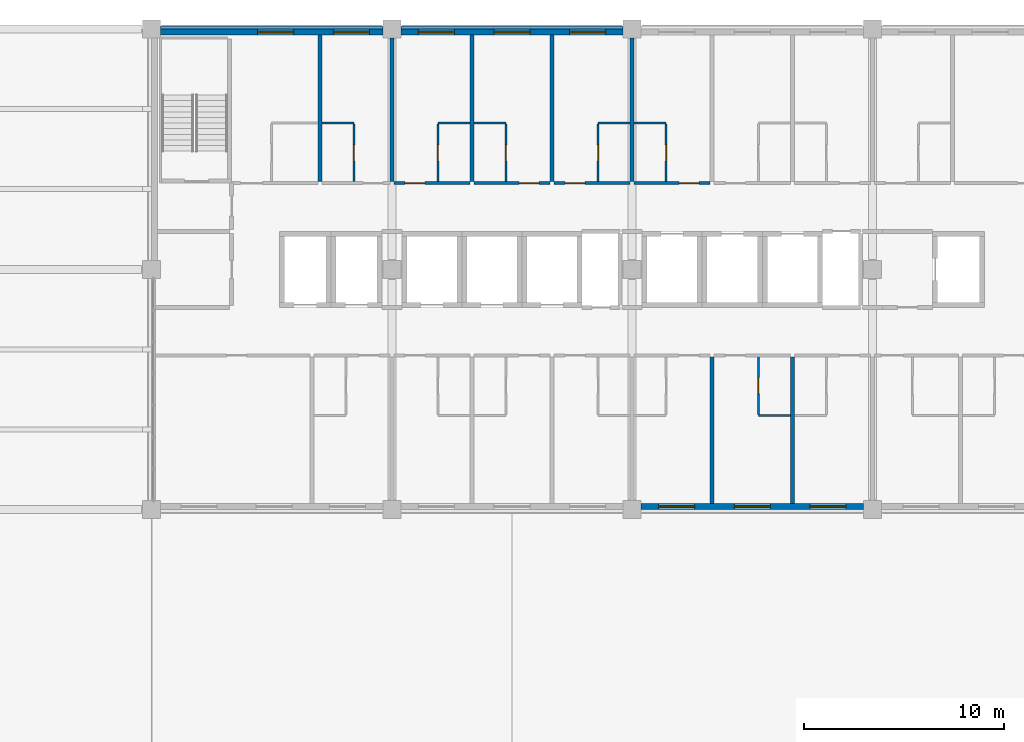
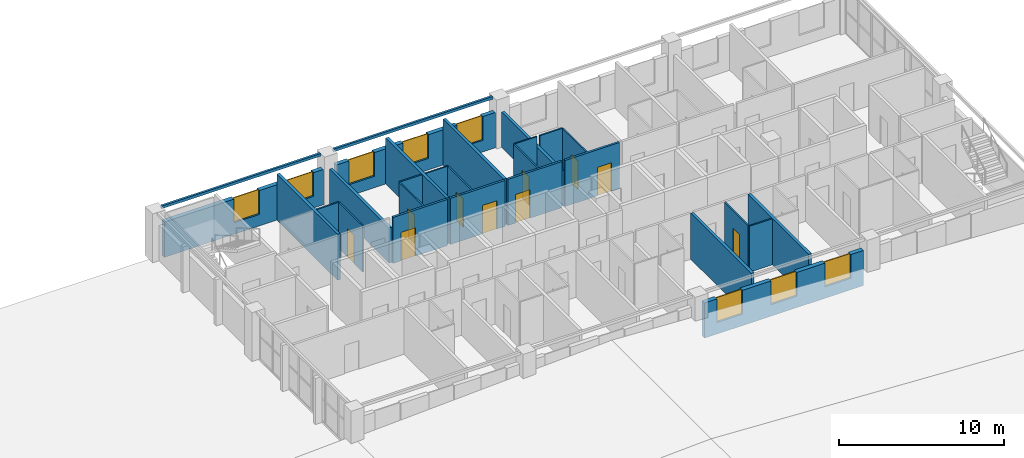
# One storey, part 89 of 94: 28 walls, 10 doors, 8 windows, 18 openings.
"""IFC4 building model written with IfcOpenShell, lengths in metres."""

from ifc_helpers import new_model, si_unit, direction, frame, frame_2d, origin, place, context, subcontext, project, spatial, rectangle, extrude, material, layer, layer_set, type_object, element, fill, save


model = new_model("IFC4")

# Units and contexts
model_context = context("Model", 3, precision=1e-05, world=origin(), true_north=direction((0.0, 1.0)))
body_context = subcontext(model_context, "Body", "Model", "MODEL_VIEW")
ifc_project = project(units=[si_unit("LENGTHUNIT", "METRE"), si_unit("AREAUNIT", "SQUARE_METRE"), si_unit("VOLUMEUNIT", "CUBIC_METRE"), si_unit("PLANEANGLEUNIT", "RADIAN"), si_unit("MASSUNIT", "GRAM", prefix="KILO")], contexts=[model_context])

# Site, building, storey
site_placement = place(None, origin())
site = spatial("IfcSite", under=ifc_project, at=site_placement, CompositionType="ELEMENT")
building_placement = place(site_placement, origin())
building = spatial("IfcBuilding", under=site, at=building_placement, Name="Lilac Gate Convention Centre", CompositionType="ELEMENT")
storey_placement = place(building_placement, frame((0.0, 0.0, 21.0)))
storey = spatial("IfcBuildingStorey", under=building, at=storey_placement, Name="L04", CompositionType="ELEMENT", Elevation=21.0)

# Wall, opening, door
ifc_material_1 = material(Name="Gypsum board on steel stud", Category="steel")
ifc_layer_1 = layer(ifc_material_1, 0.14990234375)
ifc_layer_set_1 = layer_set([ifc_layer_1], Name="Gypsum board on steel stud")
wall_type_1 = type_object("IfcWallType", Name="Corridor wall 150", PredefinedType="PARTITIONING", material=ifc_layer_set_1)
wall_1_placement = place(storey_placement, frame((54.10009765625, 238.300048828125, 0.0), z_axis=(0.0, 0.0, 1.0), x_axis=(1.0, 0.0, 0.0)))
wall_1 = element("IfcWall", 1, at=wall_1_placement, inside=storey, type_object=wall_type_1, Name="Corridor wall 150 front 0413", PredefinedType="PARTITIONING", context=body_context, shape_type="SweptSolid", body=[
    extrude(rectangle(XDim=3.7998046875, YDim=0.14990234375, at=frame_2d((1.89990234375, 0.0))), origin(), (0.0, 0.0, 1.0), 3.39990234375),
])
opening_1_placement = place(wall_1_placement, frame((0.550048828125, 0.0, 0.0)))
opening_1 = element("IfcOpeningElement", 2, at=opening_1_placement, cuts=wall_1, Name="Opening T04-031", PredefinedType="OPENING", context=body_context, shape_type="SweptSolid", body=[
    extrude(rectangle(XDim=1.0, YDim=2.10009765625, at=frame_2d((0.5, 1.050048828125))), frame((0.0, 0.0849609375, 0.0), z_axis=(0.0, -1.0, 0.0), x_axis=(1.0, 0.0, 0.0)), (0.0, 0.0, 1.0), 0.169921875),
])
ifc_material_2 = material(Name="Timber", Category="wood")
door_type_1 = type_object("IfcDoorType", Name="Guest room entrance door 1000", OperationType="SINGLE_SWING_LEFT", PredefinedType="DOOR", material=ifc_material_2)
door_1_placement = place(opening_1_placement, origin())
door_1 = element("IfcDoor", 3, at=door_1_placement, inside=storey, type_object=door_type_1, Name="Guest room door 0413", OperationType="SINGLE_SWING_LEFT", OverallHeight=2.10009765625, OverallWidth=1.0, PredefinedType="DOOR", context=body_context, shape_type="SweptSolid", body=[
    extrude(rectangle(XDim=1.0, YDim=2.10009765625, at=frame_2d((0.5, 1.050048828125))), frame((0.0, 0.02490234375, 0.0), z_axis=(0.0, -1.0, 0.0), x_axis=(1.0, 0.0, 0.0)), (0.0, 0.0, 1.0), 0.050048828125),
])
fill(opening_1, door_1)

wall_2_placement = place(storey_placement, frame((58.10009765625, 238.300048828125, 0.0), z_axis=(0.0, 0.0, 1.0), x_axis=(1.0, 0.0, 0.0)))
wall_2 = element("IfcWall", 4, at=wall_2_placement, inside=storey, type_object=wall_type_1, Name="Corridor wall 150 front 0414", PredefinedType="PARTITIONING", context=body_context, shape_type="SweptSolid", body=[
    extrude(rectangle(XDim=3.7998046875, YDim=0.14990234375, at=frame_2d((1.89990234375, 0.0))), origin(), (0.0, 0.0, 1.0), 3.39990234375),
])
opening_2_placement = place(wall_2_placement, frame((2.25, 0.0, 0.0)))
opening_2 = element("IfcOpeningElement", 5, at=opening_2_placement, cuts=wall_2, Name="Opening T04-033", PredefinedType="OPENING", context=body_context, shape_type="SweptSolid", body=[
    extrude(rectangle(XDim=1.0, YDim=2.10009765625, at=frame_2d((0.5, 1.050048828125))), frame((0.0, 0.0849609375, 0.0), z_axis=(0.0, -1.0, 0.0), x_axis=(1.0, 0.0, 0.0)), (0.0, 0.0, 1.0), 0.169921875),
])
door_2_placement = place(opening_2_placement, origin())
door_2 = element("IfcDoor", 6, at=door_2_placement, inside=storey, type_object=door_type_1, Name="Guest room door 0414", OperationType="SINGLE_SWING_RIGHT", OverallHeight=2.10009765625, OverallWidth=1.0, PredefinedType="DOOR", context=body_context, shape_type="SweptSolid", body=[
    extrude(rectangle(XDim=1.0, YDim=2.10009765625, at=frame_2d((0.5, 1.050048828125))), frame((0.0, 0.02490234375, 0.0), z_axis=(0.0, -1.0, 0.0), x_axis=(1.0, 0.0, 0.0)), (0.0, 0.0, 1.0), 0.050048828125),
])
fill(opening_2, door_2)

wall_3_placement = place(storey_placement, frame((62.10009765625, 238.300048828125, 0.0), z_axis=(0.0, 0.0, 1.0), x_axis=(1.0, 0.0, 0.0)))
wall_3 = element("IfcWall", 7, at=wall_3_placement, inside=storey, type_object=wall_type_1, Name="Corridor wall 150 front 0415", PredefinedType="PARTITIONING", context=body_context, shape_type="SweptSolid", body=[
    extrude(rectangle(XDim=3.7998046875, YDim=0.14990234375, at=frame_2d((1.89990234375, 0.0))), origin(), (0.0, 0.0, 1.0), 3.39990234375),
])
opening_3_placement = place(wall_3_placement, frame((0.550048828125, 0.0, 0.0)))
opening_3 = element("IfcOpeningElement", 8, at=opening_3_placement, cuts=wall_3, Name="Opening T04-035", PredefinedType="OPENING", context=body_context, shape_type="SweptSolid", body=[
    extrude(rectangle(XDim=1.0, YDim=2.10009765625, at=frame_2d((0.5, 1.050048828125))), frame((0.0, 0.0849609375, 0.0), z_axis=(0.0, -1.0, 0.0), x_axis=(1.0, 0.0, 0.0)), (0.0, 0.0, 1.0), 0.169921875),
])
door_3_placement = place(opening_3_placement, origin())
door_3 = element("IfcDoor", 9, at=door_3_placement, inside=storey, type_object=door_type_1, Name="Guest room door 0415", OperationType="SINGLE_SWING_LEFT", OverallHeight=2.10009765625, OverallWidth=1.0, PredefinedType="DOOR", context=body_context, shape_type="SweptSolid", body=[
    extrude(rectangle(XDim=1.0, YDim=2.10009765625, at=frame_2d((0.5, 1.050048828125))), frame((0.0, 0.02490234375, 0.0), z_axis=(0.0, -1.0, 0.0), x_axis=(1.0, 0.0, 0.0)), (0.0, 0.0, 1.0), 0.050048828125),
])
fill(opening_3, door_3)

wall_4_placement = place(storey_placement, frame((66.10009765625, 238.300048828125, 0.0), z_axis=(0.0, 0.0, 1.0), x_axis=(1.0, 0.0, 0.0)))
wall_4 = element("IfcWall", 10, at=wall_4_placement, inside=storey, type_object=wall_type_1, Name="Corridor wall 150 front 0416", PredefinedType="PARTITIONING", context=body_context, shape_type="SweptSolid", body=[
    extrude(rectangle(XDim=3.7998046875, YDim=0.14990234375, at=frame_2d((1.89990234375, 0.0))), origin(), (0.0, 0.0, 1.0), 3.39990234375),
])
opening_4_placement = place(wall_4_placement, frame((2.25, 0.0, 0.0)))
opening_4 = element("IfcOpeningElement", 11, at=opening_4_placement, cuts=wall_4, Name="Opening T04-037", PredefinedType="OPENING", context=body_context, shape_type="SweptSolid", body=[
    extrude(rectangle(XDim=1.0, YDim=2.10009765625, at=frame_2d((0.5, 1.050048828125))), frame((0.0, 0.0849609375, 0.0), z_axis=(0.0, -1.0, 0.0), x_axis=(1.0, 0.0, 0.0)), (0.0, 0.0, 1.0), 0.169921875),
])
door_4_placement = place(opening_4_placement, origin())
door_4 = element("IfcDoor", 12, at=door_4_placement, inside=storey, type_object=door_type_1, Name="Guest room door 0416", OperationType="SINGLE_SWING_LEFT", OverallHeight=2.10009765625, OverallWidth=1.0, PredefinedType="DOOR", context=body_context, shape_type="SweptSolid", body=[
    extrude(rectangle(XDim=1.0, YDim=2.10009765625, at=frame_2d((0.5, 1.050048828125))), frame((0.0, 0.02490234375, 0.0), z_axis=(0.0, -1.0, 0.0), x_axis=(1.0, 0.0, 0.0)), (0.0, 0.0, 1.0), 0.050048828125),
])
fill(opening_4, door_4)

# Wall
ifc_layer_2 = layer(ifc_material_1, 0.10009765625)
ifc_layer_set_2 = layer_set([ifc_layer_2], Name="Gypsum board on steel stud")
wall_type_2 = type_object("IfcWallType", Name="En-suite wall 100", PredefinedType="PARTITIONING", material=ifc_layer_set_2)
wall_5_placement = place(storey_placement, frame((72.300048828125, 226.699951171875, 0.0), z_axis=(0.0, 0.0, 1.0), x_axis=(1.0, 0.0, 0.0)))
element("IfcWall", 13, at=wall_5_placement, inside=storey, type_object=wall_type_2, Name="En-suite wall 100 bath 0407", PredefinedType="PARTITIONING", context=body_context, shape_type="SweptSolid", body=[
    extrude(rectangle(XDim=1.599853515625, YDim=0.10009765625, at=frame_2d((0.7998046875, 0.0))), origin(), (0.0, 0.0, 1.0), 3.39990234375),
])

# Wall, opening, door
wall_6_placement = place(storey_placement, frame((72.300048828125, 226.75, 0.0), z_axis=(0.0, 0.0, 1.0), x_axis=(0.0, 1.0, 0.0)))
wall_6 = element("IfcWall", 14, at=wall_6_placement, inside=storey, type_object=wall_type_2, Name="En-suite wall 100 bath side 0407", PredefinedType="PARTITIONING", context=body_context, shape_type="SweptSolid", body=[
    extrude(rectangle(XDim=2.875, YDim=0.10009765625, at=frame_2d((1.4375, 0.0))), origin(), (0.0, 0.0, 1.0), 3.39990234375),
])
opening_5_placement = place(wall_6_placement, frame((1.03759765625, 0.0, 0.0)))
opening_5 = element("IfcOpeningElement", 15, at=opening_5_placement, cuts=wall_6, Name="Opening T04-020", PredefinedType="OPENING", context=body_context, shape_type="SweptSolid", body=[
    extrude(rectangle(XDim=0.800048828125, YDim=2.10009765625, at=frame_2d((0.39990234375, 1.050048828125))), frame((0.0, 0.06005859375, 0.0), z_axis=(0.0, -1.0, 0.0), x_axis=(1.0, 0.0, 0.0)), (0.0, 0.0, 1.0), 0.1201171875),
])
door_type_2 = type_object("IfcDoorType", Name="En-suite door 800", OperationType="SINGLE_SWING_LEFT", PredefinedType="DOOR", material=ifc_material_2)
door_5_placement = place(opening_5_placement, origin())
door_5 = element("IfcDoor", 16, at=door_5_placement, inside=storey, type_object=door_type_2, Name="En-suite door 0407", OperationType="SINGLE_SWING_RIGHT", OverallHeight=2.10009765625, OverallWidth=0.800048828125, PredefinedType="DOOR", context=body_context, shape_type="SweptSolid", body=[
    extrude(rectangle(XDim=0.800048828125, YDim=2.10009765625, at=frame_2d((0.39990234375, 1.050048828125))), frame((0.0, 0.02490234375, 0.0), z_axis=(0.0, -1.0, 0.0), x_axis=(1.0, 0.0, 0.0)), (0.0, 0.0, 1.0), 0.050048828125),
])
fill(opening_5, door_5)

# Wall
wall_7_placement = place(storey_placement, frame((50.5, 241.300048828125, 0.0), z_axis=(0.0, 0.0, 1.0), x_axis=(1.0, 0.0, 0.0)))
element("IfcWall", 17, at=wall_7_placement, inside=storey, type_object=wall_type_2, Name="En-suite wall 100 bath 0412", PredefinedType="PARTITIONING", context=body_context, shape_type="SweptSolid", body=[
    extrude(rectangle(XDim=1.60009765625, YDim=0.10009765625, at=frame_2d((0.800048828125, 0.0))), origin(), (0.0, 0.0, 1.0), 3.39990234375),
])

# Wall, opening, door
wall_8_placement = place(storey_placement, frame((52.10009765625, 241.25, 0.0), z_axis=(0.0, 0.0, 1.0), x_axis=(0.0, -1.0, 0.0)))
wall_8 = element("IfcWall", 18, at=wall_8_placement, inside=storey, type_object=wall_type_2, Name="En-suite wall 100 bath side 0412", PredefinedType="PARTITIONING", context=body_context, shape_type="SweptSolid", body=[
    extrude(rectangle(XDim=2.875, YDim=0.10009765625, at=frame_2d((1.4375, 0.0))), origin(), (0.0, 0.0, 1.0), 3.39990234375),
])
opening_6_placement = place(wall_8_placement, frame((1.03759765625, 0.0, 0.0)))
opening_6 = element("IfcOpeningElement", 19, at=opening_6_placement, cuts=wall_8, Name="Opening T04-030", PredefinedType="OPENING", context=body_context, shape_type="SweptSolid", body=[
    extrude(rectangle(XDim=0.800048828125, YDim=2.10009765625, at=frame_2d((0.39990234375, 1.050048828125))), frame((0.0, 0.06005859375, 0.0), z_axis=(0.0, -1.0, 0.0), x_axis=(1.0, 0.0, 0.0)), (0.0, 0.0, 1.0), 0.1201171875),
])
door_6_placement = place(opening_6_placement, origin())
door_6 = element("IfcDoor", 20, at=door_6_placement, inside=storey, type_object=door_type_2, Name="En-suite door 0412", OperationType="SINGLE_SWING_RIGHT", OverallHeight=2.10009765625, OverallWidth=0.800048828125, PredefinedType="DOOR", context=body_context, shape_type="SweptSolid", body=[
    extrude(rectangle(XDim=0.800048828125, YDim=2.10009765625, at=frame_2d((0.39990234375, 1.050048828125))), frame((0.0, 0.02490234375, 0.0), z_axis=(0.0, -1.0, 0.0), x_axis=(1.0, 0.0, 0.0)), (0.0, 0.0, 1.0), 0.050048828125),
])
fill(opening_6, door_6)

# Wall
wall_9_placement = place(storey_placement, frame((56.300048828125, 241.300048828125, 0.0), z_axis=(0.0, 0.0, 1.0), x_axis=(1.0, 0.0, 0.0)))
element("IfcWall", 21, at=wall_9_placement, inside=storey, type_object=wall_type_2, Name="En-suite wall 100 bath 0413", PredefinedType="PARTITIONING", context=body_context, shape_type="SweptSolid", body=[
    extrude(rectangle(XDim=1.599853515625, YDim=0.10009765625, at=frame_2d((0.7998046875, 0.0))), origin(), (0.0, 0.0, 1.0), 3.39990234375),
])

# Wall, opening, door
wall_10_placement = place(storey_placement, frame((56.300048828125, 238.375, 0.0), z_axis=(0.0, 0.0, 1.0), x_axis=(0.0, 1.0, 0.0)))
wall_10 = element("IfcWall", 22, at=wall_10_placement, inside=storey, type_object=wall_type_2, Name="En-suite wall 100 bath side 0413", PredefinedType="PARTITIONING", context=body_context, shape_type="SweptSolid", body=[
    extrude(rectangle(XDim=2.875, YDim=0.10009765625, at=frame_2d((1.4375, 0.0))), origin(), (0.0, 0.0, 1.0), 3.39990234375),
])
opening_7_placement = place(wall_10_placement, frame((1.03759765625, 0.0, 0.0)))
opening_7 = element("IfcOpeningElement", 23, at=opening_7_placement, cuts=wall_10, Name="Opening T04-032", PredefinedType="OPENING", context=body_context, shape_type="SweptSolid", body=[
    extrude(rectangle(XDim=0.800048828125, YDim=2.10009765625, at=frame_2d((0.39990234375, 1.050048828125))), frame((0.0, 0.06005859375, 0.0), z_axis=(0.0, -1.0, 0.0), x_axis=(1.0, 0.0, 0.0)), (0.0, 0.0, 1.0), 0.1201171875),
])
door_7_placement = place(opening_7_placement, origin())
door_7 = element("IfcDoor", 24, at=door_7_placement, inside=storey, type_object=door_type_2, Name="En-suite door 0413", OperationType="SINGLE_SWING_LEFT", OverallHeight=2.10009765625, OverallWidth=0.800048828125, PredefinedType="DOOR", context=body_context, shape_type="SweptSolid", body=[
    extrude(rectangle(XDim=0.800048828125, YDim=2.10009765625, at=frame_2d((0.39990234375, 1.050048828125))), frame((0.0, 0.02490234375, 0.0), z_axis=(0.0, -1.0, 0.0), x_axis=(1.0, 0.0, 0.0)), (0.0, 0.0, 1.0), 0.050048828125),
])
fill(opening_7, door_7)

# Wall
wall_11_placement = place(storey_placement, frame((58.10009765625, 241.300048828125, 0.0), z_axis=(0.0, 0.0, 1.0), x_axis=(1.0, 0.0, 0.0)))
element("IfcWall", 25, at=wall_11_placement, inside=storey, type_object=wall_type_2, Name="En-suite wall 100 bath 0414", PredefinedType="PARTITIONING", context=body_context, shape_type="SweptSolid", body=[
    extrude(rectangle(XDim=1.599853515625, YDim=0.10009765625, at=frame_2d((0.7998046875, 0.0))), origin(), (0.0, 0.0, 1.0), 3.39990234375),
])

# Wall, opening, door
wall_12_placement = place(storey_placement, frame((59.699951171875, 241.25, 0.0), z_axis=(0.0, 0.0, 1.0), x_axis=(0.0, -1.0, 0.0)))
wall_12 = element("IfcWall", 26, at=wall_12_placement, inside=storey, type_object=wall_type_2, Name="En-suite wall 100 bath side 0414", PredefinedType="PARTITIONING", context=body_context, shape_type="SweptSolid", body=[
    extrude(rectangle(XDim=2.875, YDim=0.10009765625, at=frame_2d((1.4375, 0.0))), origin(), (0.0, 0.0, 1.0), 3.39990234375),
])
opening_8_placement = place(wall_12_placement, frame((1.03759765625, 0.0, 0.0)))
opening_8 = element("IfcOpeningElement", 27, at=opening_8_placement, cuts=wall_12, Name="Opening T04-034", PredefinedType="OPENING", context=body_context, shape_type="SweptSolid", body=[
    extrude(rectangle(XDim=0.800048828125, YDim=2.10009765625, at=frame_2d((0.39990234375, 1.050048828125))), frame((0.0, 0.06005859375, 0.0), z_axis=(0.0, -1.0, 0.0), x_axis=(1.0, 0.0, 0.0)), (0.0, 0.0, 1.0), 0.1201171875),
])
door_8_placement = place(opening_8_placement, origin())
door_8 = element("IfcDoor", 28, at=door_8_placement, inside=storey, type_object=door_type_2, Name="En-suite door 0414", OperationType="SINGLE_SWING_RIGHT", OverallHeight=2.10009765625, OverallWidth=0.800048828125, PredefinedType="DOOR", context=body_context, shape_type="SweptSolid", body=[
    extrude(rectangle(XDim=0.800048828125, YDim=2.10009765625, at=frame_2d((0.39990234375, 1.050048828125))), frame((0.0, 0.02490234375, 0.0), z_axis=(0.0, -1.0, 0.0), x_axis=(1.0, 0.0, 0.0)), (0.0, 0.0, 1.0), 0.050048828125),
])
fill(opening_8, door_8)

# Wall
wall_13_placement = place(storey_placement, frame((64.300048828125, 241.300048828125, 0.0), z_axis=(0.0, 0.0, 1.0), x_axis=(1.0, 0.0, 0.0)))
element("IfcWall", 29, at=wall_13_placement, inside=storey, type_object=wall_type_2, Name="En-suite wall 100 bath 0415", PredefinedType="PARTITIONING", context=body_context, shape_type="SweptSolid", body=[
    extrude(rectangle(XDim=1.599853515625, YDim=0.10009765625, at=frame_2d((0.7998046875, 0.0))), origin(), (0.0, 0.0, 1.0), 3.39990234375),
])

# Wall, opening, door
wall_14_placement = place(storey_placement, frame((64.300048828125, 238.375, 0.0), z_axis=(0.0, 0.0, 1.0), x_axis=(0.0, 1.0, 0.0)))
wall_14 = element("IfcWall", 30, at=wall_14_placement, inside=storey, type_object=wall_type_2, Name="En-suite wall 100 bath side 0415", PredefinedType="PARTITIONING", context=body_context, shape_type="SweptSolid", body=[
    extrude(rectangle(XDim=2.875, YDim=0.10009765625, at=frame_2d((1.4375, 0.0))), origin(), (0.0, 0.0, 1.0), 3.39990234375),
])
opening_9_placement = place(wall_14_placement, frame((1.03759765625, 0.0, 0.0)))
opening_9 = element("IfcOpeningElement", 31, at=opening_9_placement, cuts=wall_14, Name="Opening T04-036", PredefinedType="OPENING", context=body_context, shape_type="SweptSolid", body=[
    extrude(rectangle(XDim=0.800048828125, YDim=2.10009765625, at=frame_2d((0.39990234375, 1.050048828125))), frame((0.0, 0.06005859375, 0.0), z_axis=(0.0, -1.0, 0.0), x_axis=(1.0, 0.0, 0.0)), (0.0, 0.0, 1.0), 0.1201171875),
])
door_9_placement = place(opening_9_placement, origin())
door_9 = element("IfcDoor", 32, at=door_9_placement, inside=storey, type_object=door_type_2, Name="En-suite door 0415", OperationType="SINGLE_SWING_LEFT", OverallHeight=2.10009765625, OverallWidth=0.800048828125, PredefinedType="DOOR", context=body_context, shape_type="SweptSolid", body=[
    extrude(rectangle(XDim=0.800048828125, YDim=2.10009765625, at=frame_2d((0.39990234375, 1.050048828125))), frame((0.0, 0.02490234375, 0.0), z_axis=(0.0, -1.0, 0.0), x_axis=(1.0, 0.0, 0.0)), (0.0, 0.0, 1.0), 0.050048828125),
])
fill(opening_9, door_9)

# Wall
wall_15_placement = place(storey_placement, frame((66.10009765625, 241.300048828125, 0.0), z_axis=(0.0, 0.0, 1.0), x_axis=(1.0, 0.0, 0.0)))
element("IfcWall", 33, at=wall_15_placement, inside=storey, type_object=wall_type_2, Name="En-suite wall 100 bath 0416", PredefinedType="PARTITIONING", context=body_context, shape_type="SweptSolid", body=[
    extrude(rectangle(XDim=1.599853515625, YDim=0.10009765625, at=frame_2d((0.7998046875, 0.0))), origin(), (0.0, 0.0, 1.0), 3.39990234375),
])

# Wall, opening, door
wall_16_placement = place(storey_placement, frame((67.699951171875, 241.25, 0.0), z_axis=(0.0, 0.0, 1.0), x_axis=(0.0, -1.0, 0.0)))
wall_16 = element("IfcWall", 34, at=wall_16_placement, inside=storey, type_object=wall_type_2, Name="En-suite wall 100 bath side 0416", PredefinedType="PARTITIONING", context=body_context, shape_type="SweptSolid", body=[
    extrude(rectangle(XDim=2.875, YDim=0.10009765625, at=frame_2d((1.4375, 0.0))), origin(), (0.0, 0.0, 1.0), 3.39990234375),
])
opening_10_placement = place(wall_16_placement, frame((1.03759765625, 0.0, 0.0)))
opening_10 = element("IfcOpeningElement", 35, at=opening_10_placement, cuts=wall_16, Name="Opening T04-038", PredefinedType="OPENING", context=body_context, shape_type="SweptSolid", body=[
    extrude(rectangle(XDim=0.800048828125, YDim=2.10009765625, at=frame_2d((0.39990234375, 1.050048828125))), frame((0.0, 0.06005859375, 0.0), z_axis=(0.0, -1.0, 0.0), x_axis=(1.0, 0.0, 0.0)), (0.0, 0.0, 1.0), 0.1201171875),
])
door_10_placement = place(opening_10_placement, origin())
door_10 = element("IfcDoor", 36, at=door_10_placement, inside=storey, type_object=door_type_2, Name="En-suite door 0416", OperationType="SINGLE_SWING_RIGHT", OverallHeight=2.10009765625, OverallWidth=0.800048828125, PredefinedType="DOOR", context=body_context, shape_type="SweptSolid", body=[
    extrude(rectangle(XDim=0.800048828125, YDim=2.10009765625, at=frame_2d((0.39990234375, 1.050048828125))), frame((0.0, 0.02490234375, 0.0), z_axis=(0.0, -1.0, 0.0), x_axis=(1.0, 0.0, 0.0)), (0.0, 0.0, 1.0), 0.050048828125),
])
fill(opening_10, door_10)

# Walls
ifc_layer_3 = layer(ifc_material_1, 0.199951171875)
ifc_layer_set_3 = layer_set([ifc_layer_3], Name="Gypsum board on steel stud")
wall_type_3 = type_object("IfcWallType", Name="Guest room party wall 200", PredefinedType="PARTITIONING", material=ifc_layer_set_3)
for number, where, z_axis, x_axis, name in (
    (37, (70.0, 222.2998046875, 0.0), (0.0, 0.0, 1.0), (0.0, 1.0, 0.0), "Guest room party wall 200 party 70.0"),
    (38, (74.0, 222.2998046875, 0.0), (0.0, 0.0, 1.0), (0.0, 1.0, 0.0), "Guest room party wall 200 party 74.0"),
    (39, (50.39990234375, 245.7001953125, 0.0), (0.0, 0.0, 1.0), (0.0, -1.0, 0.0), "Guest room party wall 200 party 50.4"),
):
    element("IfcWall", number, at=place(storey_placement, frame(where, z_axis=z_axis, x_axis=x_axis)), inside=storey, type_object=wall_type_3, Name=name, PredefinedType="PARTITIONING", context=body_context, shape_type="SweptSolid", body=[
        extrude(rectangle(XDim=7.3251953125, YDim=0.199951171875, at=frame_2d((3.66259765625, 0.0))), origin(), (0.0, 0.0, 1.0), 3.39990234375),
    ])
wall_17_placement = place(storey_placement, frame((54.0, 245.550048828125, 0.0), z_axis=(0.0, 0.0, 1.0), x_axis=(0.0, -1.0, 0.0)))
element("IfcWall", 40, at=wall_17_placement, inside=storey, type_object=wall_type_3, Name="Guest room party wall 200 party 54.0", PredefinedType="PARTITIONING", context=body_context, shape_type="SweptSolid", body=[
    extrude(rectangle(XDim=7.175048828125, YDim=0.199951171875, at=frame_2d((3.58740234375, 0.0))), origin(), (0.0, 0.0, 1.0), 2.60009765625),
])
for number, where, z_axis, x_axis, name in (
    (41, (58.0, 245.7001953125, 0.0), (0.0, 0.0, 1.0), (0.0, -1.0, 0.0), "Guest room party wall 200 party 58.0"),
    (42, (62.0, 245.7001953125, 0.0), (0.0, 0.0, 1.0), (0.0, -1.0, 0.0), "Guest room party wall 200 party 62.0"),
):
    element("IfcWall", number, at=place(storey_placement, frame(where, z_axis=z_axis, x_axis=x_axis)), inside=storey, type_object=wall_type_3, Name=name, PredefinedType="PARTITIONING", context=body_context, shape_type="SweptSolid", body=[
        extrude(rectangle(XDim=7.3251953125, YDim=0.199951171875, at=frame_2d((3.66259765625, 0.0))), origin(), (0.0, 0.0, 1.0), 3.39990234375),
    ])
wall_18_placement = place(storey_placement, frame((66.0, 245.550048828125, 0.0), z_axis=(0.0, 0.0, 1.0), x_axis=(0.0, -1.0, 0.0)))
element("IfcWall", 43, at=wall_18_placement, inside=storey, type_object=wall_type_3, Name="Guest room party wall 200 party 66.0", PredefinedType="PARTITIONING", context=body_context, shape_type="SweptSolid", body=[
    extrude(rectangle(XDim=7.175048828125, YDim=0.199951171875, at=frame_2d((3.58740234375, 0.0))), origin(), (0.0, 0.0, 1.0), 2.60009765625),
])
ifc_material_3 = material(Name="Concrete C40 precast", Category="concrete")
ifc_layer_4 = layer(ifc_material_3, 0.1298828125)
ifc_material_4 = material(Name="Ochre mineral render")
ifc_layer_5 = layer(ifc_material_4, 0.02001953125)
ifc_layer_set_4 = layer_set([ifc_layer_4, ifc_layer_5], Name="Concrete C40 precast, Ochre mineral render")
wall_type_4 = type_object("IfcWallType", Name="Precast band ochre 150", PredefinedType="STANDARD", material=ifc_layer_set_4)
for number, where, z_axis, x_axis, name in (
    (44, (65.550048828125, 246.074951171875, 3.39990234375), (0.0, 0.0, 1.0), (-1.0, 0.0, 0.0), "Precast band N L04 3"),
    (45, (53.550048828125, 246.074951171875, 3.39990234375), (0.0, 0.0, 1.0), (-1.0, 0.0, 0.0), "Precast band N L04 4"),
):
    element("IfcWall", number, at=place(storey_placement, frame(where, z_axis=z_axis, x_axis=x_axis)), inside=storey, type_object=wall_type_4, Name=name, PredefinedType="STANDARD", context=body_context, shape_type="SweptSolid", body=[
        extrude(rectangle(XDim=11.10009765625, YDim=0.14990234375, at=frame_2d((5.550048828125, 0.0))), origin(), (0.0, 0.0, 1.0), 0.2001953125),
    ])

# Wall, openings, windows
ifc_layer_6 = layer(ifc_material_4, 0.02001953125)
ifc_layer_7 = layer(ifc_material_3, 0.06005859375)
ifc_material_5 = material(Name="Ventilated air cavity")
ifc_layer_8 = layer(ifc_material_5, 0.030029296875)
ifc_material_6 = material(Name="Mineral wool insulation")
ifc_layer_9 = layer(ifc_material_6, 0.1201171875)
ifc_material_7 = material(Name="Steel stud Q345 and gypsum lining", Category="steel")
ifc_layer_10 = layer(ifc_material_7, 0.070068359375)
ifc_layer_set_5 = layer_set([ifc_layer_6, ifc_layer_7, ifc_layer_8, ifc_layer_9, ifc_layer_10], Name="Ochre mineral render, Concrete C40 precast, Ventilated air cavity, Mineral wool insulation, Steel stud Q345 and gypsum lining")
wall_type_5 = type_object("IfcWallType", Name="Precast panel wall ochre 300", PredefinedType="STANDARD", material=ifc_layer_set_5)
wall_19_placement = place(storey_placement, frame((66.449951171875, 222.14990234375, 0.0), z_axis=(0.0, 0.0, 1.0), x_axis=(1.0, 0.0, 0.0)))
wall_19 = element("IfcWall", 46, at=wall_19_placement, inside=storey, type_object=wall_type_5, Name="External wall S L04 3", PredefinedType="STANDARD", context=body_context, shape_type="SweptSolid", body=[
    extrude(rectangle(XDim=11.10009765625, YDim=0.300048828125, at=frame_2d((5.550048828125, 0.0))), origin(), (0.0, 0.0, 1.0), 2.60009765625),
])
opening_11_placement = place(wall_19_placement, frame((0.875, 0.0, 0.85009765625)))
opening_11 = element("IfcOpeningElement", 47, at=opening_11_placement, cuts=wall_19, Name="Opening W1", PredefinedType="OPENING", context=body_context, shape_type="SweptSolid", body=[
    extrude(rectangle(XDim=1.800048828125, YDim=1.75, at=frame_2d((0.89990234375, 0.875))), frame((0.0, 0.159912109375, 0.0), z_axis=(0.0, -1.0, 0.0), x_axis=(1.0, 0.0, 0.0)), (0.0, 0.0, 1.0), 0.320068359375),
])
opening_12_placement = place(wall_19_placement, frame((4.64990234375, 0.0, 0.85009765625)))
opening_12 = element("IfcOpeningElement", 48, at=opening_12_placement, cuts=wall_19, Name="Opening W1", PredefinedType="OPENING", context=body_context, shape_type="SweptSolid", body=[
    extrude(rectangle(XDim=1.800048828125, YDim=1.75, at=frame_2d((0.89990234375, 0.875))), frame((0.0, 0.159912109375, 0.0), z_axis=(0.0, -1.0, 0.0), x_axis=(1.0, 0.0, 0.0)), (0.0, 0.0, 1.0), 0.320068359375),
])
opening_13_placement = place(wall_19_placement, frame((8.425048828125, 0.0, 0.85009765625)))
opening_13 = element("IfcOpeningElement", 49, at=opening_13_placement, cuts=wall_19, Name="Opening W1", PredefinedType="OPENING", context=body_context, shape_type="SweptSolid", body=[
    extrude(rectangle(XDim=1.800048828125, YDim=1.75, at=frame_2d((0.89990234375, 0.875))), frame((0.0, 0.159912109375, 0.0), z_axis=(0.0, -1.0, 0.0), x_axis=(1.0, 0.0, 0.0)), (0.0, 0.0, 1.0), 0.320068359375),
])
ifc_material_8 = material(Name="Aluminium framed double glazing", Category="aluminium")
window_type = type_object("IfcWindowType", Name="Guest room window 1800 x 1750", PartitioningType="DOUBLE_PANEL_VERTICAL", PredefinedType="WINDOW", material=ifc_material_8)
window_1_placement = place(opening_11_placement, origin())
window_1 = element("IfcWindow", 50, at=window_1_placement, inside=storey, type_object=window_type, Name="Window Guest S L04", OverallHeight=1.75, OverallWidth=1.800048828125, PartitioningType="SINGLE_PANEL", PredefinedType="WINDOW", context=body_context, shape_type="SweptSolid", body=[
    extrude(rectangle(XDim=1.800048828125, YDim=1.75, at=frame_2d((0.89990234375, 0.875))), frame((0.0, 0.030029296875, 0.0), z_axis=(0.0, -1.0, 0.0), x_axis=(1.0, 0.0, 0.0)), (0.0, 0.0, 1.0), 0.06005859375),
])
fill(opening_11, window_1)
window_2_placement = place(opening_12_placement, origin())
window_2 = element("IfcWindow", 51, at=window_2_placement, inside=storey, type_object=window_type, Name="Window Guest S L04", OverallHeight=1.75, OverallWidth=1.800048828125, PartitioningType="SINGLE_PANEL", PredefinedType="WINDOW", context=body_context, shape_type="SweptSolid", body=[
    extrude(rectangle(XDim=1.800048828125, YDim=1.75, at=frame_2d((0.89990234375, 0.875))), frame((0.0, 0.030029296875, 0.0), z_axis=(0.0, -1.0, 0.0), x_axis=(1.0, 0.0, 0.0)), (0.0, 0.0, 1.0), 0.06005859375),
])
fill(opening_12, window_2)
window_3_placement = place(opening_13_placement, origin())
window_3 = element("IfcWindow", 52, at=window_3_placement, inside=storey, type_object=window_type, Name="Window Guest S L04", OverallHeight=1.75, OverallWidth=1.800048828125, PartitioningType="SINGLE_PANEL", PredefinedType="WINDOW", context=body_context, shape_type="SweptSolid", body=[
    extrude(rectangle(XDim=1.800048828125, YDim=1.75, at=frame_2d((0.89990234375, 0.875))), frame((0.0, 0.030029296875, 0.0), z_axis=(0.0, -1.0, 0.0), x_axis=(1.0, 0.0, 0.0)), (0.0, 0.0, 1.0), 0.06005859375),
])
fill(opening_13, window_3)

wall_20_placement = place(storey_placement, frame((65.550048828125, 245.85009765625, 0.0), z_axis=(0.0, 0.0, 1.0), x_axis=(-1.0, 0.0, 0.0)))
wall_20 = element("IfcWall", 53, at=wall_20_placement, inside=storey, type_object=wall_type_5, Name="External wall N L04 3", PredefinedType="STANDARD", context=body_context, shape_type="SweptSolid", body=[
    extrude(rectangle(XDim=11.10009765625, YDim=0.300048828125, at=frame_2d((5.550048828125, 0.0))), origin(), (0.0, 0.0, 1.0), 2.60009765625),
])
opening_14_placement = place(wall_20_placement, frame((8.425048828125, 0.0, 0.85009765625)))
opening_14 = element("IfcOpeningElement", 54, at=opening_14_placement, cuts=wall_20, Name="Opening W1", PredefinedType="OPENING", context=body_context, shape_type="SweptSolid", body=[
    extrude(rectangle(XDim=1.800048828125, YDim=1.75, at=frame_2d((0.89990234375, 0.875))), frame((0.0, 0.159912109375, 0.0), z_axis=(0.0, -1.0, 0.0), x_axis=(1.0, 0.0, 0.0)), (0.0, 0.0, 1.0), 0.320068359375),
])
opening_15_placement = place(wall_20_placement, frame((4.64990234375, 0.0, 0.85009765625)))
opening_15 = element("IfcOpeningElement", 55, at=opening_15_placement, cuts=wall_20, Name="Opening W1", PredefinedType="OPENING", context=body_context, shape_type="SweptSolid", body=[
    extrude(rectangle(XDim=1.800048828125, YDim=1.75, at=frame_2d((0.89990234375, 0.875))), frame((0.0, 0.159912109375, 0.0), z_axis=(0.0, -1.0, 0.0), x_axis=(1.0, 0.0, 0.0)), (0.0, 0.0, 1.0), 0.320068359375),
])
opening_16_placement = place(wall_20_placement, frame((0.875, 0.0, 0.85009765625)))
opening_16 = element("IfcOpeningElement", 56, at=opening_16_placement, cuts=wall_20, Name="Opening W1", PredefinedType="OPENING", context=body_context, shape_type="SweptSolid", body=[
    extrude(rectangle(XDim=1.800048828125, YDim=1.75, at=frame_2d((0.89990234375, 0.875))), frame((0.0, 0.159912109375, 0.0), z_axis=(0.0, -1.0, 0.0), x_axis=(1.0, 0.0, 0.0)), (0.0, 0.0, 1.0), 0.320068359375),
])
window_4_placement = place(opening_14_placement, origin())
window_4 = element("IfcWindow", 57, at=window_4_placement, inside=storey, type_object=window_type, Name="Window Guest N L04", OverallHeight=1.75, OverallWidth=1.800048828125, PartitioningType="SINGLE_PANEL", PredefinedType="WINDOW", context=body_context, shape_type="SweptSolid", body=[
    extrude(rectangle(XDim=1.800048828125, YDim=1.75, at=frame_2d((0.89990234375, 0.875))), frame((0.0, 0.030029296875, 0.0), z_axis=(0.0, -1.0, 0.0), x_axis=(1.0, 0.0, 0.0)), (0.0, 0.0, 1.0), 0.06005859375),
])
fill(opening_14, window_4)
window_5_placement = place(opening_15_placement, origin())
window_5 = element("IfcWindow", 58, at=window_5_placement, inside=storey, type_object=window_type, Name="Window Guest N L04", OverallHeight=1.75, OverallWidth=1.800048828125, PartitioningType="SINGLE_PANEL", PredefinedType="WINDOW", context=body_context, shape_type="SweptSolid", body=[
    extrude(rectangle(XDim=1.800048828125, YDim=1.75, at=frame_2d((0.89990234375, 0.875))), frame((0.0, 0.030029296875, 0.0), z_axis=(0.0, -1.0, 0.0), x_axis=(1.0, 0.0, 0.0)), (0.0, 0.0, 1.0), 0.06005859375),
])
fill(opening_15, window_5)
window_6_placement = place(opening_16_placement, origin())
window_6 = element("IfcWindow", 59, at=window_6_placement, inside=storey, type_object=window_type, Name="Window Guest N L04", OverallHeight=1.75, OverallWidth=1.800048828125, PartitioningType="SINGLE_PANEL", PredefinedType="WINDOW", context=body_context, shape_type="SweptSolid", body=[
    extrude(rectangle(XDim=1.800048828125, YDim=1.75, at=frame_2d((0.89990234375, 0.875))), frame((0.0, 0.030029296875, 0.0), z_axis=(0.0, -1.0, 0.0), x_axis=(1.0, 0.0, 0.0)), (0.0, 0.0, 1.0), 0.06005859375),
])
fill(opening_16, window_6)

wall_21_placement = place(storey_placement, frame((53.550048828125, 245.85009765625, 0.0), z_axis=(0.0, 0.0, 1.0), x_axis=(-1.0, 0.0, 0.0)))
wall_21 = element("IfcWall", 60, at=wall_21_placement, inside=storey, type_object=wall_type_5, Name="External wall N L04 4", PredefinedType="STANDARD", context=body_context, shape_type="SweptSolid", body=[
    extrude(rectangle(XDim=11.10009765625, YDim=0.300048828125, at=frame_2d((5.550048828125, 0.0))), origin(), (0.0, 0.0, 1.0), 2.60009765625),
])
opening_17_placement = place(wall_21_placement, frame((4.449951171875, 0.0, 0.85009765625)))
opening_17 = element("IfcOpeningElement", 61, at=opening_17_placement, cuts=wall_21, Name="Opening W1", PredefinedType="OPENING", context=body_context, shape_type="SweptSolid", body=[
    extrude(rectangle(XDim=1.800048828125, YDim=1.75, at=frame_2d((0.89990234375, 0.875))), frame((0.0, 0.159912109375, 0.0), z_axis=(0.0, -1.0, 0.0), x_axis=(1.0, 0.0, 0.0)), (0.0, 0.0, 1.0), 0.320068359375),
])
opening_18_placement = place(wall_21_placement, frame((0.675048828125, 0.0, 0.85009765625)))
opening_18 = element("IfcOpeningElement", 62, at=opening_18_placement, cuts=wall_21, Name="Opening W1", PredefinedType="OPENING", context=body_context, shape_type="SweptSolid", body=[
    extrude(rectangle(XDim=1.800048828125, YDim=1.75, at=frame_2d((0.89990234375, 0.875))), frame((0.0, 0.159912109375, 0.0), z_axis=(0.0, -1.0, 0.0), x_axis=(1.0, 0.0, 0.0)), (0.0, 0.0, 1.0), 0.320068359375),
])
window_7_placement = place(opening_17_placement, origin())
window_7 = element("IfcWindow", 63, at=window_7_placement, inside=storey, type_object=window_type, Name="Window Guest N L04", OverallHeight=1.75, OverallWidth=1.800048828125, PartitioningType="SINGLE_PANEL", PredefinedType="WINDOW", context=body_context, shape_type="SweptSolid", body=[
    extrude(rectangle(XDim=1.800048828125, YDim=1.75, at=frame_2d((0.89990234375, 0.875))), frame((0.0, 0.030029296875, 0.0), z_axis=(0.0, -1.0, 0.0), x_axis=(1.0, 0.0, 0.0)), (0.0, 0.0, 1.0), 0.06005859375),
])
fill(opening_17, window_7)
window_8_placement = place(opening_18_placement, origin())
window_8 = element("IfcWindow", 64, at=window_8_placement, inside=storey, type_object=window_type, Name="Window Guest N L04", OverallHeight=1.75, OverallWidth=1.800048828125, PartitioningType="SINGLE_PANEL", PredefinedType="WINDOW", context=body_context, shape_type="SweptSolid", body=[
    extrude(rectangle(XDim=1.800048828125, YDim=1.75, at=frame_2d((0.89990234375, 0.875))), frame((0.0, 0.030029296875, 0.0), z_axis=(0.0, -1.0, 0.0), x_axis=(1.0, 0.0, 0.0)), (0.0, 0.0, 1.0), 0.06005859375),
])
fill(opening_18, window_8)

save(model, "model.ifc")
